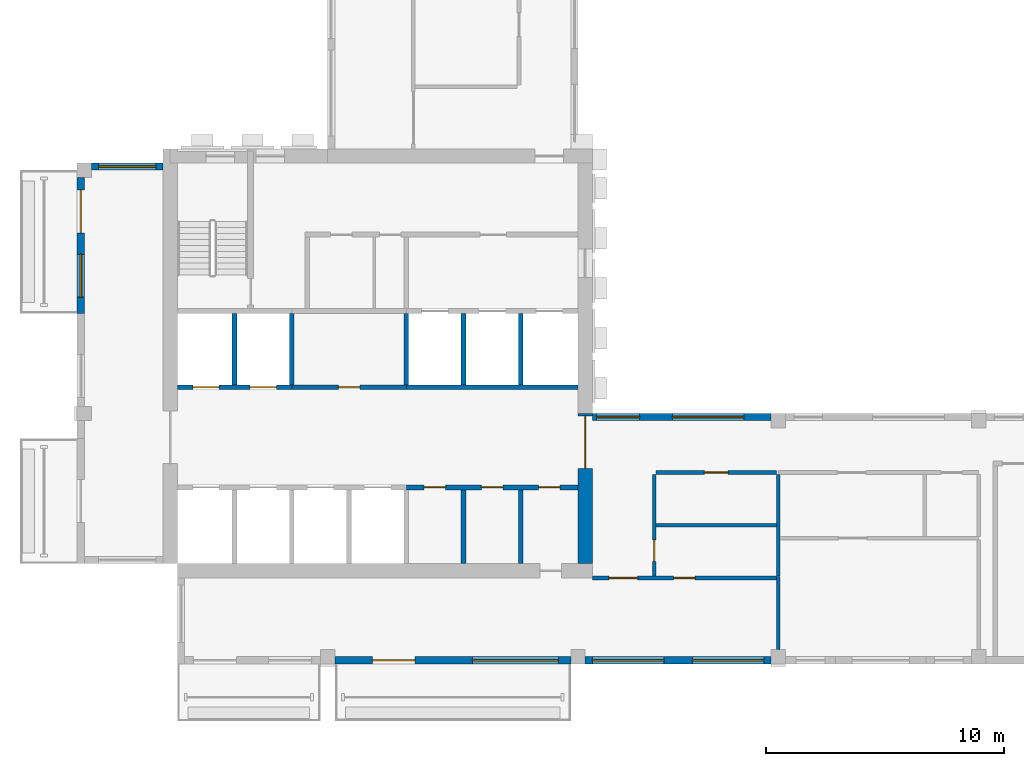
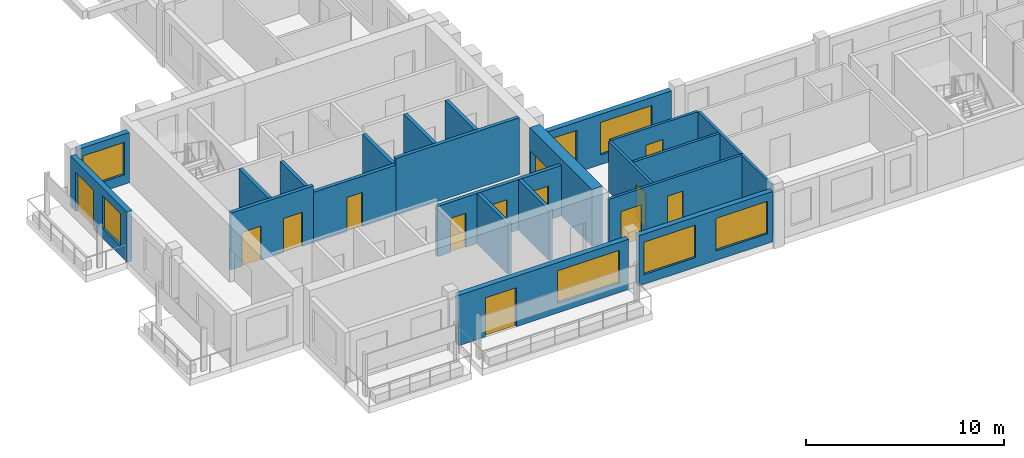
# One storey, part 2 of 10: 23 walls, 13 doors, 7 windows, 20 openings.
"""IFC4 building model written with IfcOpenShell, lengths in metres."""

from ifc_helpers import new_model, si_unit, direction, frame, frame_2d, origin, place, context, subcontext, project, spatial, rectangle, extrude, source, transform, mapped, material, layer, layer_set, type_object, element, fill, save


model = new_model("IFC4")

# Units and contexts
model_context = context("Model", 3, precision=1e-05, world=origin(), true_north=direction((0.0, 1.0)))
body_context = subcontext(model_context, "Body", "Model", "MODEL_VIEW")
ifc_project = project(units=[si_unit("LENGTHUNIT", "METRE"), si_unit("AREAUNIT", "SQUARE_METRE"), si_unit("VOLUMEUNIT", "CUBIC_METRE"), si_unit("PLANEANGLEUNIT", "RADIAN"), si_unit("MASSUNIT", "GRAM", prefix="KILO")], contexts=[model_context])

# Site, building, storey
site_placement = place(None, origin())
site = spatial("IfcSite", under=ifc_project, at=site_placement, CompositionType="ELEMENT")
building_placement = place(site_placement, origin())
building = spatial("IfcBuilding", under=site, at=building_placement, Name="Aurelian Terraces", CompositionType="ELEMENT")
storey_placement = place(building_placement, frame((0.0, 0.0, 326.5)))
storey = spatial("IfcBuildingStorey", under=building, at=storey_placement, Name="L76", CompositionType="ELEMENT", Elevation=326.5)

# Wall, openings, door, window
ifc_material_1 = material(Name="Terracotta rainscreen cladding", Category="masonry")
ifc_layer_1 = layer(ifc_material_1, 0.3)
ifc_layer_set_1 = layer_set([ifc_layer_1], Name="EW-300")
wall_type_1 = type_object("IfcWallType", Name="EW-300", PredefinedType="STANDARD", material=ifc_layer_set_1)
wall_1_placement = place(storey_placement, frame((10.8, 0.15, 0.0), z_axis=(0.0, 0.0, 1.0), x_axis=(1.0, 0.0, 0.0)))
wall_1 = element("IfcWall", 1, at=wall_1_placement, inside=storey, type_object=wall_type_1, Name="External wall L76 F01.2", PredefinedType="STANDARD", context=body_context, shape_type="SweptSolid", body=[
    extrude(rectangle(XDim=9.9, YDim=0.3, at=frame_2d((4.95, 0.0))), origin(), (0.0, 0.0, 1.0), 3.1),
])
shared_shape_1 = source(origin(), body_context, "Body", "SweptSolid", [
    extrude(rectangle(XDim=1.8, YDim=2.4, at=frame_2d((0.9, 1.2))), frame((0.0, 0.16, 0.0), z_axis=(0.0, -1.0, 0.0), x_axis=(1.0, 0.0, 0.0)), (0.0, 0.0, 1.0), 0.32),
])
opening_1_placement = place(wall_1_placement, frame((1.575, 0.0, 0.0)))
opening_1 = element("IfcOpeningElement", 2, at=opening_1_placement, cuts=wall_1, Name="Opening 87602", PredefinedType="OPENING", context=body_context, shape_type="MappedRepresentation", body=[
    mapped(shared_shape_1, transform((0.0, 0.0, 0.0), scale=1.0)),
])
shared_shape_2 = source(origin(), body_context, "Body", "SweptSolid", [
    extrude(rectangle(XDim=3.6, YDim=2.0, at=frame_2d((1.8, 1.0))), frame((0.0, 0.16, 0.0), z_axis=(0.0, -1.0, 0.0), x_axis=(1.0, 0.0, 0.0)), (0.0, 0.0, 1.0), 0.32),
])
opening_2_placement = place(wall_1_placement, frame((5.775, 0.0, 0.6)))
opening_2 = element("IfcOpeningElement", 3, at=opening_2_placement, cuts=wall_1, Name="Opening W3620", PredefinedType="OPENING", context=body_context, shape_type="MappedRepresentation", body=[
    mapped(shared_shape_2, transform((0.0, 0.0, 0.0), scale=1.0)),
])
ifc_material_2 = material(Name="Clear glazing", Category="glass")
door_type_1 = type_object("IfcDoorType", Name="BD-1800x2400", OperationType="SLIDING_TO_LEFT", PredefinedType="DOOR", material=ifc_material_2)
shared_shape_3 = source(origin(), body_context, "Body", "SweptSolid", [
    extrude(rectangle(XDim=1.8, YDim=2.4, at=frame_2d((0.9, 1.2))), frame((0.0, 0.025, 0.0), z_axis=(0.0, -1.0, 0.0), x_axis=(1.0, 0.0, 0.0)), (0.0, 0.0, 1.0), 0.05),
])
door_1_placement = place(opening_1_placement, origin())
door_1 = element("IfcDoor", 4, at=door_1_placement, inside=storey, type_object=door_type_1, Name="Balcony door L76 F01.2", OperationType="SLIDING_TO_LEFT", OverallHeight=2.4, OverallWidth=1.8, PredefinedType="DOOR", context=body_context, shape_type="MappedRepresentation", body=[
    mapped(shared_shape_3, transform((0.0, 0.0, 0.0), scale=1.0)),
])
fill(opening_1, door_1)
window_type_1 = type_object("IfcWindowType", Name="W-3600x2000", PartitioningType="SINGLE_PANEL", PredefinedType="WINDOW", material=ifc_material_2)
shared_shape_4 = source(origin(), body_context, "Body", "SweptSolid", [
    extrude(rectangle(XDim=3.6, YDim=2.0, at=frame_2d((1.8, 1.0))), frame((0.0, 0.03, 0.0), z_axis=(0.0, -1.0, 0.0), x_axis=(1.0, 0.0, 0.0)), (0.0, 0.0, 1.0), 0.06),
])
window_1_placement = place(opening_2_placement, origin())
window_1 = element("IfcWindow", 5, at=window_1_placement, inside=storey, type_object=window_type_1, Name="Window L76 L76-F01-02-1", OverallHeight=2.0, OverallWidth=3.6, PartitioningType="SINGLE_PANEL", PredefinedType="WINDOW", context=body_context, shape_type="MappedRepresentation", body=[
    mapped(shared_shape_4, transform((0.0, 0.0, 0.0), scale=1.0)),
])
fill(opening_2, window_1)

# Wall, openings, windows
wall_2_placement = place(storey_placement, frame((21.3, 0.15, 0.0), z_axis=(0.0, 0.0, 1.0), x_axis=(1.0, 0.0, 0.0)))
wall_2 = element("IfcWall", 6, at=wall_2_placement, inside=storey, type_object=wall_type_1, Name="External wall L76 F01.3", PredefinedType="STANDARD", context=body_context, shape_type="SweptSolid", body=[
    extrude(rectangle(XDim=7.8, YDim=0.3, at=frame_2d((3.9, 0.0))), origin(), (0.0, 0.0, 1.0), 3.1),
])
shared_shape_5 = source(origin(), body_context, "Body", "SweptSolid", [
    extrude(rectangle(XDim=3.0, YDim=2.0, at=frame_2d((1.5, 1.0))), frame((0.0, 0.16, 0.0), z_axis=(0.0, -1.0, 0.0), x_axis=(1.0, 0.0, 0.0)), (0.0, 0.0, 1.0), 0.32),
])
opening_3_placement = place(wall_2_placement, frame((0.3, 0.0, 0.6)))
opening_3 = element("IfcOpeningElement", 7, at=opening_3_placement, cuts=wall_2, Name="Opening W3020", PredefinedType="OPENING", context=body_context, shape_type="MappedRepresentation", body=[
    mapped(shared_shape_5, transform((0.0, 0.0, 0.0), scale=1.0)),
])
opening_4_placement = place(wall_2_placement, frame((4.5, 0.0, 0.6)))
opening_4 = element("IfcOpeningElement", 8, at=opening_4_placement, cuts=wall_2, Name="Opening W3020", PredefinedType="OPENING", context=body_context, shape_type="MappedRepresentation", body=[
    mapped(shared_shape_5, transform((0.0, 0.0, 0.0), scale=1.0)),
])
window_type_2 = type_object("IfcWindowType", Name="W-3000x2000", PartitioningType="SINGLE_PANEL", PredefinedType="WINDOW", material=ifc_material_2)
shared_shape_6 = source(origin(), body_context, "Body", "SweptSolid", [
    extrude(rectangle(XDim=3.0, YDim=2.0, at=frame_2d((1.5, 1.0))), frame((0.0, 0.03, 0.0), z_axis=(0.0, -1.0, 0.0), x_axis=(1.0, 0.0, 0.0)), (0.0, 0.0, 1.0), 0.06),
])
window_2_placement = place(opening_3_placement, origin())
window_2 = element("IfcWindow", 9, at=window_2_placement, inside=storey, type_object=window_type_2, Name="Window L76 L76-F01-03-0", OverallHeight=2.0, OverallWidth=3.0, PartitioningType="SINGLE_PANEL", PredefinedType="WINDOW", context=body_context, shape_type="MappedRepresentation", body=[
    mapped(shared_shape_6, transform((0.0, 0.0, 0.0), scale=1.0)),
])
fill(opening_3, window_2)
window_3_placement = place(opening_4_placement, origin())
window_3 = element("IfcWindow", 10, at=window_3_placement, inside=storey, type_object=window_type_2, Name="Window L76 L76-F01-03-1", OverallHeight=2.0, OverallWidth=3.0, PartitioningType="SINGLE_PANEL", PredefinedType="WINDOW", context=body_context, shape_type="MappedRepresentation", body=[
    mapped(shared_shape_6, transform((0.0, 0.0, 0.0), scale=1.0)),
])
fill(opening_4, window_3)

wall_3_placement = place(storey_placement, frame((29.1, 10.35, 0.0), z_axis=(0.0, 0.0, 1.0), x_axis=(-1.0, 0.0, 0.0)))
wall_3 = element("IfcWall", 11, at=wall_3_placement, inside=storey, type_object=wall_type_1, Name="External wall L76 F03.8", PredefinedType="STANDARD", context=body_context, shape_type="SweptSolid", body=[
    extrude(rectangle(XDim=7.5, YDim=0.3, at=frame_2d((3.75, 0.0))), origin(), (0.0, 0.0, 1.0), 3.1),
])
opening_5_placement = place(wall_3_placement, frame((1.14, 0.0, 0.6)))
opening_5 = element("IfcOpeningElement", 12, at=opening_5_placement, cuts=wall_3, Name="Opening W3020", PredefinedType="OPENING", context=body_context, shape_type="MappedRepresentation", body=[
    mapped(shared_shape_5, transform((0.0, 0.0, 0.0), scale=1.0)),
])
shared_shape_7 = source(origin(), body_context, "Body", "SweptSolid", [
    extrude(rectangle(XDim=1.8, YDim=2.0, at=frame_2d((0.9, 1.0))), frame((0.0, 0.16, 0.0), z_axis=(0.0, -1.0, 0.0), x_axis=(1.0, 0.0, 0.0)), (0.0, 0.0, 1.0), 0.32),
])
opening_6_placement = place(wall_3_placement, frame((5.52, 0.0, 0.6)))
opening_6 = element("IfcOpeningElement", 13, at=opening_6_placement, cuts=wall_3, Name="Opening W1820", PredefinedType="OPENING", context=body_context, shape_type="MappedRepresentation", body=[
    mapped(shared_shape_7, transform((0.0, 0.0, 0.0), scale=1.0)),
])
window_4_placement = place(opening_5_placement, origin())
window_4 = element("IfcWindow", 14, at=window_4_placement, inside=storey, type_object=window_type_2, Name="Window L76 L76-F03-08-5", OverallHeight=2.0, OverallWidth=3.0, PartitioningType="SINGLE_PANEL", PredefinedType="WINDOW", context=body_context, shape_type="MappedRepresentation", body=[
    mapped(shared_shape_6, transform((0.0, 0.0, 0.0), scale=1.0)),
])
fill(opening_5, window_4)
window_type_3 = type_object("IfcWindowType", Name="W-1800x2000", PartitioningType="SINGLE_PANEL", PredefinedType="WINDOW", material=ifc_material_2)
shared_shape_8 = source(origin(), body_context, "Body", "SweptSolid", [
    extrude(rectangle(XDim=1.8, YDim=2.0, at=frame_2d((0.9, 1.0))), frame((0.0, 0.03, 0.0), z_axis=(0.0, -1.0, 0.0), x_axis=(1.0, 0.0, 0.0)), (0.0, 0.0, 1.0), 0.06),
])
window_5_placement = place(opening_6_placement, origin())
window_5 = element("IfcWindow", 15, at=window_5_placement, inside=storey, type_object=window_type_3, Name="Window L76 L76-F03-08-6", OverallHeight=2.0, OverallWidth=1.8, PartitioningType="SINGLE_PANEL", PredefinedType="WINDOW", context=body_context, shape_type="MappedRepresentation", body=[
    mapped(shared_shape_8, transform((0.0, 0.0, 0.0), scale=1.0)),
])
fill(opening_6, window_5)

# Wall, opening, window
wall_4_placement = place(storey_placement, frame((3.6, 20.85, 0.0), z_axis=(0.0, 0.0, 1.0), x_axis=(-1.0, 0.0, 0.0)))
wall_4 = element("IfcWall", 16, at=wall_4_placement, inside=storey, type_object=wall_type_1, Name="External wall L76 F11.19", PredefinedType="STANDARD", context=body_context, shape_type="SweptSolid", body=[
    extrude(rectangle(XDim=3.0, YDim=0.3, at=frame_2d((1.5, 0.0))), origin(), (0.0, 0.0, 1.0), 3.1),
])
shared_shape_9 = source(origin(), body_context, "Body", "SweptSolid", [
    extrude(rectangle(XDim=2.4, YDim=2.0, at=frame_2d((1.2, 1.0))), frame((0.0, 0.16, 0.0), z_axis=(0.0, -1.0, 0.0), x_axis=(1.0, 0.0, 0.0)), (0.0, 0.0, 1.0), 0.32),
])
opening_7_placement = place(wall_4_placement, frame((0.3, 0.0, 0.6)))
opening_7 = element("IfcOpeningElement", 17, at=opening_7_placement, cuts=wall_4, Name="Opening W2420", PredefinedType="OPENING", context=body_context, shape_type="MappedRepresentation", body=[
    mapped(shared_shape_9, transform((0.0, 0.0, 0.0), scale=1.0)),
])
window_type_4 = type_object("IfcWindowType", Name="W-2400x2000", PartitioningType="SINGLE_PANEL", PredefinedType="WINDOW", material=ifc_material_2)
shared_shape_10 = source(origin(), body_context, "Body", "SweptSolid", [
    extrude(rectangle(XDim=2.4, YDim=2.0, at=frame_2d((1.2, 1.0))), frame((0.0, 0.03, 0.0), z_axis=(0.0, -1.0, 0.0), x_axis=(1.0, 0.0, 0.0)), (0.0, 0.0, 1.0), 0.06),
])
window_6_placement = place(opening_7_placement, origin())
window_6 = element("IfcWindow", 18, at=window_6_placement, inside=storey, type_object=window_type_4, Name="Window L76 L76-F11-19-0", OverallHeight=2.0, OverallWidth=2.4, PartitioningType="SINGLE_PANEL", PredefinedType="WINDOW", context=body_context, shape_type="MappedRepresentation", body=[
    mapped(shared_shape_10, transform((0.0, 0.0, 0.0), scale=1.0)),
])
fill(opening_7, window_6)

# Wall, openings, door, window
wall_5_placement = place(storey_placement, frame((0.15, 20.4, 0.0), z_axis=(0.0, 0.0, 1.0), x_axis=(0.0, -1.0, 0.0)))
wall_5 = element("IfcWall", 19, at=wall_5_placement, inside=storey, type_object=wall_type_1, Name="External wall L76 F12.20", PredefinedType="STANDARD", context=body_context, shape_type="SweptSolid", body=[
    extrude(rectangle(XDim=5.7, YDim=0.3, at=frame_2d((2.85, 0.0))), origin(), (0.0, 0.0, 1.0), 3.1),
])
opening_8_placement = place(wall_5_placement, frame((0.525, 0.0, 0.0)))
opening_8 = element("IfcOpeningElement", 20, at=opening_8_placement, cuts=wall_5, Name="Opening 87603", PredefinedType="OPENING", context=body_context, shape_type="MappedRepresentation", body=[
    mapped(shared_shape_1, transform((0.0, 0.0, 0.0), scale=1.0)),
])
opening_9_placement = place(wall_5_placement, frame((3.225, 0.0, 0.6)))
opening_9 = element("IfcOpeningElement", 21, at=opening_9_placement, cuts=wall_5, Name="Opening W1820", PredefinedType="OPENING", context=body_context, shape_type="MappedRepresentation", body=[
    mapped(shared_shape_7, transform((0.0, 0.0, 0.0), scale=1.0)),
])
door_2_placement = place(opening_8_placement, origin())
door_2 = element("IfcDoor", 22, at=door_2_placement, inside=storey, type_object=door_type_1, Name="Balcony door L76 F12.20", OperationType="SLIDING_TO_LEFT", OverallHeight=2.4, OverallWidth=1.8, PredefinedType="DOOR", context=body_context, shape_type="MappedRepresentation", body=[
    mapped(shared_shape_3, transform((0.0, 0.0, 0.0), scale=1.0)),
])
fill(opening_8, door_2)
window_7_placement = place(opening_9_placement, origin())
window_7 = element("IfcWindow", 23, at=window_7_placement, inside=storey, type_object=window_type_3, Name="Window L76 L76-F12-20-1", OverallHeight=2.0, OverallWidth=1.8, PartitioningType="SINGLE_PANEL", PredefinedType="WINDOW", context=body_context, shape_type="MappedRepresentation", body=[
    mapped(shared_shape_8, transform((0.0, 0.0, 0.0), scale=1.0)),
])
fill(opening_9, window_7)

# Wall
ifc_material_3 = material(Name="Gypsum board on steel studs", Category="steel")
ifc_layer_2 = layer(ifc_material_3, 0.15)
ifc_layer_set_2 = layer_set([ifc_layer_2], Name="Fire partition 150")
wall_type_2 = type_object("IfcWallType", Name="Fire partition 150", PredefinedType="PARTITIONING", material=ifc_layer_set_2)
wall_6_placement = place(storey_placement, frame((29.4, 0.599, 0.0), z_axis=(0.0, 0.0, 1.0), x_axis=(0.0, 1.0, 0.0)))
element("IfcWall", 24, at=wall_6_placement, inside=storey, type_object=wall_type_2, Name="Party wall", PredefinedType="PARTITIONING", context=body_context, shape_type="SweptSolid", body=[
    extrude(rectangle(XDim=3.056, YDim=0.15, at=frame_2d((1.528, 0.0))), origin(), (0.0, 0.0, 1.0), 3.1),
])

# Wall, opening, door
ifc_material_4 = material(Name="Concrete fc' 55 MPa", Category="concrete")
ifc_layer_3 = layer(ifc_material_4, 0.6)
ifc_layer_set_3 = layer_set([ifc_layer_3], Name="CORE WALL 600 FC55")
wall_type_3 = type_object("IfcWallType", Name="CORE WALL 600 FC55", PredefinedType="SHEAR", material=ifc_layer_set_3)
shared_shape_11 = source(origin(), body_context, "Body", "SweptSolid", [
    extrude(rectangle(XDim=6.3, YDim=0.6, at=frame_2d((3.15, 0.0))), origin(), (0.0, 0.0, 1.0), 3.5),
])
wall_7_placement = place(storey_placement, frame((21.3, 4.2, 0.0), z_axis=(0.0, 0.0, 1.0), x_axis=(0.0, 1.0, 0.0)))
wall_7 = element("IfcWall", 25, at=wall_7_placement, inside=storey, type_object=wall_type_3, Name="Core wall E L76", PredefinedType="SHEAR", context=body_context, shape_type="MappedRepresentation", body=[
    mapped(shared_shape_11, transform((0.0, 0.0, 0.0), scale=1.0)),
])
shared_shape_12 = source(origin(), body_context, "Body", "SweptSolid", [
    extrude(rectangle(XDim=2.2, YDim=2.1, at=frame_2d((1.1, 1.05))), frame((0.0, 0.31, 0.0), z_axis=(0.0, -1.0, 0.0), x_axis=(1.0, 0.0, 0.0)), (0.0, 0.0, 1.0), 0.62),
])
opening_10_placement = place(wall_7_placement, frame((4.0, 0.0, 0.0)))
opening_10 = element("IfcOpeningElement", 26, at=opening_10_placement, cuts=wall_7, Name="Opening 67923", PredefinedType="OPENING", context=body_context, shape_type="MappedRepresentation", body=[
    mapped(shared_shape_12, transform((0.0, 0.0, 0.0), scale=1.0)),
])
ifc_material_5 = material(Name="Steel door leaf", Category="steel")
door_type_2 = type_object("IfcDoorType", Name="Core double door 2200x2100", OperationType="DOUBLE_DOOR_SINGLE_SWING", PredefinedType="DOOR", material=ifc_material_5)
shared_shape_13 = source(origin(), body_context, "Body", "SweptSolid", [
    extrude(rectangle(XDim=2.2, YDim=2.1, at=frame_2d((1.1, 1.05))), frame((0.0, 0.025, 0.0), z_axis=(0.0, -1.0, 0.0), x_axis=(1.0, 0.0, 0.0)), (0.0, 0.0, 1.0), 0.05),
])
door_3_placement = place(opening_10_placement, origin())
door_3 = element("IfcDoor", 27, at=door_3_placement, inside=storey, type_object=door_type_2, Name="Core door 67923", OperationType="DOUBLE_DOOR_SINGLE_SWING", OverallHeight=2.1, OverallWidth=2.2, PredefinedType="DOOR", context=body_context, shape_type="MappedRepresentation", body=[
    mapped(shared_shape_13, transform((0.0, 0.0, 0.0), scale=1.0)),
])
fill(opening_10, door_3)

# Walls
ifc_material_6 = material(Name="Concrete fc' 40 MPa", Category="concrete")
ifc_layer_4 = layer(ifc_material_6, 0.2)
ifc_layer_set_4 = layer_set([ifc_layer_4], Name="Lift shaft wall 200")
wall_type_4 = type_object("IfcWallType", Name="Lift shaft wall 200", PredefinedType="SOLIDWALL", material=ifc_layer_set_4)
shared_shape_14 = source(origin(), body_context, "Body", "SweptSolid", [
    extrude(rectangle(XDim=3.0, YDim=0.2, at=frame_2d((1.5, 0.0))), origin(), (0.0, 0.0, 1.0), 3.1),
])
for number, where, z_axis, x_axis, name in (
    (28, (9.0, 11.7, 0.0), (0.0, 0.0, 1.0), (0.0, 1.0, 0.0), "L76 core wall CD-B2"),
    (29, (13.8, 11.7, 0.0), (0.0, 0.0, 1.0), (0.0, 1.0, 0.0), "L76 core wall CD-B4"),
):
    element("IfcWall", number, at=place(storey_placement, frame(where, z_axis=z_axis, x_axis=x_axis)), inside=storey, type_object=wall_type_4, Name=name, PredefinedType="SOLIDWALL", context=body_context, shape_type="MappedRepresentation", body=[
        mapped(shared_shape_14, transform((0.0, 0.0, 0.0), scale=1.0)),
    ])
shared_shape_15 = source(origin(), body_context, "Body", "SweptSolid", [
    extrude(rectangle(XDim=3.0, YDim=0.2, at=frame_2d((1.5, 0.0))), origin(), (0.0, 0.0, 1.0), 3.5),
])
for number, where, z_axis, x_axis, name in (
    (30, (6.6, 11.7, 0.0), (0.0, 0.0, 1.0), (0.0, 1.0, 0.0), "L76 core wall CD-B1"),
    (31, (16.2, 11.7, 0.0), (0.0, 0.0, 1.0), (0.0, 1.0, 0.0), "L76 core wall CD-B5"),
    (32, (18.6, 11.7, 0.0), (0.0, 0.0, 1.0), (0.0, 1.0, 0.0), "L76 core wall CD-B6"),
):
    element("IfcWall", number, at=place(storey_placement, frame(where, z_axis=z_axis, x_axis=x_axis)), inside=storey, type_object=wall_type_4, Name=name, PredefinedType="SOLIDWALL", context=body_context, shape_type="MappedRepresentation", body=[
        mapped(shared_shape_15, transform((0.0, 0.0, 0.0), scale=1.0)),
    ])

# Wall, openings, doors
shared_shape_16 = source(origin(), body_context, "Body", "SweptSolid", [
    extrude(rectangle(XDim=4.8, YDim=0.2, at=frame_2d((2.4, 0.0))), origin(), (0.0, 0.0, 1.0), 3.5),
])
wall_8_placement = place(storey_placement, frame((4.2, 11.6, 0.0), z_axis=(0.0, 0.0, 1.0), x_axis=(1.0, 0.0, 0.0)))
wall_8 = element("IfcWall", 33, at=wall_8_placement, inside=storey, type_object=wall_type_4, Name="L76 core wall CF-BF1", PredefinedType="SOLIDWALL", context=body_context, shape_type="MappedRepresentation", body=[
    mapped(shared_shape_16, transform((0.0, 0.0, 0.0), scale=1.0)),
])
shared_shape_17 = source(origin(), body_context, "Body", "SweptSolid", [
    extrude(rectangle(XDim=1.1, YDim=2.1, at=frame_2d((0.55, 1.05))), frame((0.0, 0.11, 0.0), z_axis=(0.0, -1.0, 0.0), x_axis=(1.0, 0.0, 0.0)), (0.0, 0.0, 1.0), 0.22),
])
opening_11_placement = place(wall_8_placement, frame((0.65, 0.0, 0.0)))
opening_11 = element("IfcOpeningElement", 34, at=opening_11_placement, cuts=wall_8, Name="Opening 67907", PredefinedType="OPENING", context=body_context, shape_type="MappedRepresentation", body=[
    mapped(shared_shape_17, transform((0.0, 0.0, 0.0), scale=1.0)),
])
opening_12_placement = place(wall_8_placement, frame((3.05, 0.0, 0.0)))
opening_12 = element("IfcOpeningElement", 35, at=opening_12_placement, cuts=wall_8, Name="Opening 67908", PredefinedType="OPENING", context=body_context, shape_type="MappedRepresentation", body=[
    mapped(shared_shape_17, transform((0.0, 0.0, 0.0), scale=1.0)),
])
ifc_material_7 = material(Name="Stainless steel", Category="steel")
door_type_3 = type_object("IfcDoorType", Name="Lift landing door 1100x2100", OperationType="SLIDING_TO_LEFT", PredefinedType="DOOR", material=ifc_material_7)
shared_shape_18 = source(origin(), body_context, "Body", "SweptSolid", [
    extrude(rectangle(XDim=1.1, YDim=2.1, at=frame_2d((0.55, 1.05))), frame((0.0, 0.025, 0.0), z_axis=(0.0, -1.0, 0.0), x_axis=(1.0, 0.0, 0.0)), (0.0, 0.0, 1.0), 0.05),
])
door_4_placement = place(opening_11_placement, origin())
door_4 = element("IfcDoor", 36, at=door_4_placement, inside=storey, type_object=door_type_3, Name="Lift landing door LH5 L76", OperationType="SLIDING_TO_LEFT", OverallHeight=2.1, OverallWidth=1.1, PredefinedType="DOOR", context=body_context, shape_type="MappedRepresentation", body=[
    mapped(shared_shape_18, transform((0.0, 0.0, 0.0), scale=1.0)),
])
fill(opening_11, door_4)
door_5_placement = place(opening_12_placement, origin())
door_5 = element("IfcDoor", 37, at=door_5_placement, inside=storey, type_object=door_type_3, Name="Lift landing door LH6 L76", OperationType="SLIDING_TO_LEFT", OverallHeight=2.1, OverallWidth=1.1, PredefinedType="DOOR", context=body_context, shape_type="MappedRepresentation", body=[
    mapped(shared_shape_18, transform((0.0, 0.0, 0.0), scale=1.0)),
])
fill(opening_12, door_5)

# Wall, opening, door
shared_shape_19 = source(origin(), body_context, "Body", "SweptSolid", [
    extrude(rectangle(XDim=4.8, YDim=0.2, at=frame_2d((2.4, 0.0))), origin(), (0.0, 0.0, 1.0), 3.1),
])
wall_9_placement = place(storey_placement, frame((9.0, 11.6, 0.0), z_axis=(0.0, 0.0, 1.0), x_axis=(1.0, 0.0, 0.0)))
wall_9 = element("IfcWall", 38, at=wall_9_placement, inside=storey, type_object=wall_type_4, Name="L76 core wall CF-BF2", PredefinedType="SOLIDWALL", context=body_context, shape_type="MappedRepresentation", body=[
    mapped(shared_shape_19, transform((0.0, 0.0, 0.0), scale=1.0)),
])
shared_shape_20 = source(origin(), body_context, "Body", "SweptSolid", [
    extrude(rectangle(XDim=0.9, YDim=2.1, at=frame_2d((0.45, 1.05))), frame((0.0, 0.11, 0.0), z_axis=(0.0, -1.0, 0.0), x_axis=(1.0, 0.0, 0.0)), (0.0, 0.0, 1.0), 0.22),
])
opening_13_placement = place(wall_9_placement, frame((1.95, 0.0, 0.0)))
opening_13 = element("IfcOpeningElement", 39, at=opening_13_placement, cuts=wall_9, Name="Opening 67909", PredefinedType="OPENING", context=body_context, shape_type="MappedRepresentation", body=[
    mapped(shared_shape_20, transform((0.0, 0.0, 0.0), scale=1.0)),
])
door_type_4 = type_object("IfcDoorType", Name="Core service door 900x2100", OperationType="SINGLE_SWING_LEFT", PredefinedType="DOOR", material=ifc_material_5)
shared_shape_21 = source(origin(), body_context, "Body", "SweptSolid", [
    extrude(rectangle(XDim=0.9, YDim=2.1, at=frame_2d((0.45, 1.05))), frame((0.0, 0.025, 0.0), z_axis=(0.0, -1.0, 0.0), x_axis=(1.0, 0.0, 0.0)), (0.0, 0.0, 1.0), 0.05),
])
door_6_placement = place(opening_13_placement, origin())
door_6 = element("IfcDoor", 40, at=door_6_placement, inside=storey, type_object=door_type_4, Name="Room door 67909", OperationType="SINGLE_SWING_LEFT", OverallHeight=2.1, OverallWidth=0.9, PredefinedType="DOOR", context=body_context, shape_type="MappedRepresentation", body=[
    mapped(shared_shape_21, transform((0.0, 0.0, 0.0), scale=1.0)),
])
fill(opening_13, door_6)

# Walls
shared_shape_22 = source(origin(), body_context, "Body", "SweptSolid", [
    extrude(rectangle(XDim=7.2, YDim=0.2, at=frame_2d((3.6, 0.0))), origin(), (0.0, 0.0, 1.0), 3.5),
])
wall_10_placement = place(storey_placement, frame((13.8, 11.6, 0.0), z_axis=(0.0, 0.0, 1.0), x_axis=(1.0, 0.0, 0.0)))
element("IfcWall", 41, at=wall_10_placement, inside=storey, type_object=wall_type_4, Name="L76 core wall CF-BF3", PredefinedType="SOLIDWALL", context=body_context, shape_type="MappedRepresentation", body=[
    mapped(shared_shape_22, transform((0.0, 0.0, 0.0), scale=1.0)),
])
ifc_layer_5 = layer(ifc_material_3, 0.2)
ifc_layer_set_5 = layer_set([ifc_layer_5], Name="Core partition 200")
wall_type_5 = type_object("IfcWallType", Name="Core partition 200", PredefinedType="PARTITIONING", material=ifc_layer_set_5)
shared_shape_23 = source(origin(), body_context, "Body", "SweptSolid", [
    extrude(rectangle(XDim=3.1, YDim=0.2, at=frame_2d((1.55, 0.0))), origin(), (0.0, 0.0, 1.0), 3.1),
])
for number, where, z_axis, x_axis, name in (
    (42, (16.2, 4.2, 0.0), (0.0, 0.0, 1.0), (0.0, 1.0, 0.0), "L76 core wall CS-A5"),
    (43, (18.6, 4.2, 0.0), (0.0, 0.0, 1.0), (0.0, 1.0, 0.0), "L76 core wall CS-A6"),
):
    element("IfcWall", number, at=place(storey_placement, frame(where, z_axis=z_axis, x_axis=x_axis)), inside=storey, type_object=wall_type_5, Name=name, PredefinedType="PARTITIONING", context=body_context, shape_type="MappedRepresentation", body=[
        mapped(shared_shape_23, transform((0.0, 0.0, 0.0), scale=1.0)),
    ])

# Wall, openings, doors
shared_shape_24 = source(origin(), body_context, "Body", "SweptSolid", [
    extrude(rectangle(XDim=7.2, YDim=0.2, at=frame_2d((3.6, 0.0))), origin(), (0.0, 0.0, 1.0), 3.1),
])
wall_11_placement = place(storey_placement, frame((13.8, 7.4, 0.0), z_axis=(0.0, 0.0, 1.0), x_axis=(1.0, 0.0, 0.0)))
wall_11 = element("IfcWall", 44, at=wall_11_placement, inside=storey, type_object=wall_type_4, Name="L76 core wall CF-AF2", PredefinedType="SOLIDWALL", context=body_context, shape_type="MappedRepresentation", body=[
    mapped(shared_shape_24, transform((0.0, 0.0, 0.0), scale=1.0)),
])
opening_14_placement = place(wall_11_placement, frame((0.75, 0.0, 0.0)))
opening_14 = element("IfcOpeningElement", 45, at=opening_14_placement, cuts=wall_11, Name="Opening 67904", PredefinedType="OPENING", context=body_context, shape_type="MappedRepresentation", body=[
    mapped(shared_shape_20, transform((0.0, 0.0, 0.0), scale=1.0)),
])
opening_15_placement = place(wall_11_placement, frame((3.15, 0.0, 0.0)))
opening_15 = element("IfcOpeningElement", 46, at=opening_15_placement, cuts=wall_11, Name="Opening 67905", PredefinedType="OPENING", context=body_context, shape_type="MappedRepresentation", body=[
    mapped(shared_shape_20, transform((0.0, 0.0, 0.0), scale=1.0)),
])
opening_16_placement = place(wall_11_placement, frame((5.55, 0.0, 0.0)))
opening_16 = element("IfcOpeningElement", 47, at=opening_16_placement, cuts=wall_11, Name="Opening 67906", PredefinedType="OPENING", context=body_context, shape_type="MappedRepresentation", body=[
    mapped(shared_shape_20, transform((0.0, 0.0, 0.0), scale=1.0)),
])
door_type_5 = type_object("IfcDoorType", Name="Core service door 900x2100 right", OperationType="SINGLE_SWING_RIGHT", PredefinedType="DOOR", material=ifc_material_5)
door_7_placement = place(opening_14_placement, origin())
door_7 = element("IfcDoor", 48, at=door_7_placement, inside=storey, type_object=door_type_5, Name="Room door 67904", OperationType="SINGLE_SWING_RIGHT", OverallHeight=2.1, OverallWidth=0.9, PredefinedType="DOOR", context=body_context, shape_type="MappedRepresentation", body=[
    mapped(shared_shape_21, transform((0.0, 0.0, 0.0), scale=1.0)),
])
fill(opening_14, door_7)
door_8_placement = place(opening_15_placement, origin())
door_8 = element("IfcDoor", 49, at=door_8_placement, inside=storey, type_object=door_type_4, Name="Room door 67905", OperationType="SINGLE_SWING_LEFT", OverallHeight=2.1, OverallWidth=0.9, PredefinedType="DOOR", context=body_context, shape_type="MappedRepresentation", body=[
    mapped(shared_shape_21, transform((0.0, 0.0, 0.0), scale=1.0)),
])
fill(opening_15, door_8)
door_9_placement = place(opening_16_placement, origin())
door_9 = element("IfcDoor", 50, at=door_9_placement, inside=storey, type_object=door_type_5, Name="Room door 67906", OperationType="SINGLE_SWING_RIGHT", OverallHeight=2.1, OverallWidth=0.9, PredefinedType="DOOR", context=body_context, shape_type="MappedRepresentation", body=[
    mapped(shared_shape_21, transform((0.0, 0.0, 0.0), scale=1.0)),
])
fill(opening_16, door_9)

ifc_layer_6 = layer(ifc_material_3, 0.15)
ifc_layer_set_6 = layer_set([ifc_layer_6], Name="Partition 150")
wall_type_6 = type_object("IfcWallType", Name="Partition 150", PredefinedType="PARTITIONING", material=ifc_layer_set_6)
shared_shape_25 = source(origin(), body_context, "Body", "SweptSolid", [
    extrude(rectangle(XDim=7.725, YDim=0.15, at=frame_2d((3.8625, 0.0))), origin(), (0.0, 0.0, 1.0), 3.1),
])
wall_12_placement = place(storey_placement, frame((21.6, 3.6, 0.0), z_axis=(0.0, 0.0, 1.0), x_axis=(1.0, 0.0, 0.0)))
wall_12 = element("IfcWall", 51, at=wall_12_placement, inside=storey, type_object=wall_type_6, Name="Partition", PredefinedType="PARTITIONING", context=body_context, shape_type="MappedRepresentation", body=[
    mapped(shared_shape_25, transform((0.0, 0.0, 0.0), scale=1.0)),
])
shared_shape_26 = source(origin(), body_context, "Body", "SweptSolid", [
    extrude(rectangle(XDim=1.2, YDim=2.1, at=frame_2d((0.6, 1.05))), frame((0.0, 0.085, 0.0), z_axis=(0.0, -1.0, 0.0), x_axis=(1.0, 0.0, 0.0)), (0.0, 0.0, 1.0), 0.17),
])
opening_17_placement = place(wall_12_placement, frame((0.7, 0.0, 0.0)))
opening_17 = element("IfcOpeningElement", 52, at=opening_17_placement, cuts=wall_12, Name="Opening 776003", PredefinedType="OPENING", context=body_context, shape_type="MappedRepresentation", body=[
    mapped(shared_shape_26, transform((0.0, 0.0, 0.0), scale=1.0)),
])
shared_shape_27 = source(origin(), body_context, "Body", "SweptSolid", [
    extrude(rectangle(XDim=0.9, YDim=2.1, at=frame_2d((0.45, 1.05))), frame((0.0, 0.085, 0.0), z_axis=(0.0, -1.0, 0.0), x_axis=(1.0, 0.0, 0.0)), (0.0, 0.0, 1.0), 0.17),
])
opening_18_placement = place(wall_12_placement, frame((3.4125, 0.0, 0.0)))
opening_18 = element("IfcOpeningElement", 53, at=opening_18_placement, cuts=wall_12, Name="Opening 776017", PredefinedType="OPENING", context=body_context, shape_type="MappedRepresentation", body=[
    mapped(shared_shape_27, transform((0.0, 0.0, 0.0), scale=1.0)),
])
ifc_material_8 = material(Name="Timber door leaf", Category="wood")
door_type_6 = type_object("IfcDoorType", Name="Room door 900x2100 left", OperationType="SINGLE_SWING_LEFT", PredefinedType="DOOR", material=ifc_material_8)
door_10_placement = place(opening_18_placement, origin())
door_10 = element("IfcDoor", 54, at=door_10_placement, inside=storey, type_object=door_type_6, Name="Door 776017", OperationType="SINGLE_SWING_LEFT", OverallHeight=2.1, OverallWidth=0.9, PredefinedType="DOOR", context=body_context, shape_type="MappedRepresentation", body=[
    mapped(shared_shape_21, transform((0.0, 0.0, 0.0), scale=1.0)),
])
fill(opening_18, door_10)
door_type_7 = type_object("IfcDoorType", Name="Room door 1200x2100 right", OperationType="SINGLE_SWING_RIGHT", PredefinedType="DOOR", material=ifc_material_8)
shared_shape_28 = source(origin(), body_context, "Body", "SweptSolid", [
    extrude(rectangle(XDim=1.2, YDim=2.1, at=frame_2d((0.6, 1.05))), frame((0.0, 0.025, 0.0), z_axis=(0.0, -1.0, 0.0), x_axis=(1.0, 0.0, 0.0)), (0.0, 0.0, 1.0), 0.05),
])
door_11_placement = place(opening_17_placement, origin())
door_11 = element("IfcDoor", 55, at=door_11_placement, inside=storey, type_object=door_type_7, Name="Door 776003", OperationType="SINGLE_SWING_RIGHT", OverallHeight=2.1, OverallWidth=1.2, PredefinedType="DOOR", context=body_context, shape_type="MappedRepresentation", body=[
    mapped(shared_shape_28, transform((0.0, 0.0, 0.0), scale=1.0)),
])
fill(opening_17, door_11)

# Wall, opening, door
shared_shape_29 = source(origin(), body_context, "Body", "SweptSolid", [
    extrude(rectangle(XDim=4.275, YDim=0.15, at=frame_2d((2.1375, 0.0))), origin(), (0.0, 0.0, 1.0), 3.1),
])
wall_13_placement = place(storey_placement, frame((24.2, 7.95, 0.0), z_axis=(0.0, 0.0, 1.0), x_axis=(0.0, -1.0, 0.0)))
wall_13 = element("IfcWall", 56, at=wall_13_placement, inside=storey, type_object=wall_type_6, Name="Partition", PredefinedType="PARTITIONING", context=body_context, shape_type="MappedRepresentation", body=[
    mapped(shared_shape_29, transform((0.0, 0.0, 0.0), scale=1.0)),
])
opening_19_placement = place(wall_13_placement, frame((2.7565, 0.0, 0.0)))
opening_19 = element("IfcOpeningElement", 57, at=opening_19_placement, cuts=wall_13, Name="Opening 776002", PredefinedType="OPENING", context=body_context, shape_type="MappedRepresentation", body=[
    mapped(shared_shape_27, transform((0.0, 0.0, 0.0), scale=1.0)),
])
door_type_8 = type_object("IfcDoorType", Name="Room door 900x2100 right", OperationType="SINGLE_SWING_RIGHT", PredefinedType="DOOR", material=ifc_material_8)
door_12_placement = place(opening_19_placement, origin())
door_12 = element("IfcDoor", 58, at=door_12_placement, inside=storey, type_object=door_type_8, Name="Door 776002", OperationType="SINGLE_SWING_RIGHT", OverallHeight=2.1, OverallWidth=0.9, PredefinedType="DOOR", context=body_context, shape_type="MappedRepresentation", body=[
    mapped(shared_shape_21, transform((0.0, 0.0, 0.0), scale=1.0)),
])
fill(opening_19, door_12)

# Wall
wall_14_placement = place(storey_placement, frame((29.4, 3.675, 0.0), z_axis=(0.0, 0.0, 1.0), x_axis=(0.0, 1.0, 0.0)))
element("IfcWall", 59, at=wall_14_placement, inside=storey, type_object=wall_type_6, Name="Partition", PredefinedType="PARTITIONING", context=body_context, shape_type="MappedRepresentation", body=[
    mapped(shared_shape_29, transform((0.0, 0.0, 0.0), scale=1.0)),
])

# Wall, opening, door
shared_shape_30 = source(origin(), body_context, "Body", "SweptSolid", [
    extrude(rectangle(XDim=5.05, YDim=0.15, at=frame_2d((2.525, 0.0))), origin(), (0.0, 0.0, 1.0), 3.1),
])
wall_15_placement = place(storey_placement, frame((29.325, 8.025, 0.0), z_axis=(0.0, 0.0, 1.0), x_axis=(-1.0, 0.0, 0.0)))
wall_15 = element("IfcWall", 60, at=wall_15_placement, inside=storey, type_object=wall_type_2, Name="Corridor wall", PredefinedType="PARTITIONING", context=body_context, shape_type="MappedRepresentation", body=[
    mapped(shared_shape_30, transform((0.0, 0.0, 0.0), scale=1.0)),
])
shared_shape_31 = source(origin(), body_context, "Body", "SweptSolid", [
    extrude(rectangle(XDim=1.0, YDim=2.1, at=frame_2d((0.5, 1.05))), frame((0.0, 0.085, 0.0), z_axis=(0.0, -1.0, 0.0), x_axis=(1.0, 0.0, 0.0)), (0.0, 0.0, 1.0), 0.17),
])
opening_20_placement = place(wall_15_placement, frame((2.025, 0.0, 0.0)))
opening_20 = element("IfcOpeningElement", 61, at=opening_20_placement, cuts=wall_15, Name="Opening 776001", PredefinedType="OPENING", context=body_context, shape_type="MappedRepresentation", body=[
    mapped(shared_shape_31, transform((0.0, 0.0, 0.0), scale=1.0)),
])
door_type_9 = type_object("IfcDoorType", Name="Entrance fire door 1000x2100 left", OperationType="SINGLE_SWING_LEFT", PredefinedType="DOOR", material=ifc_material_5)
shared_shape_32 = source(origin(), body_context, "Body", "SweptSolid", [
    extrude(rectangle(XDim=1.0, YDim=2.1, at=frame_2d((0.5, 1.05))), frame((0.0, 0.025, 0.0), z_axis=(0.0, -1.0, 0.0), x_axis=(1.0, 0.0, 0.0)), (0.0, 0.0, 1.0), 0.05),
])
door_13_placement = place(opening_20_placement, origin())
door_13 = element("IfcDoor", 62, at=door_13_placement, inside=storey, type_object=door_type_9, Name="Door 776001", OperationType="SINGLE_SWING_LEFT", OverallHeight=2.1, OverallWidth=1.0, PredefinedType="DOOR", context=body_context, shape_type="MappedRepresentation", body=[
    mapped(shared_shape_32, transform((0.0, 0.0, 0.0), scale=1.0)),
])
fill(opening_20, door_13)

# Wall
wall_16_placement = place(storey_placement, frame((29.325, 5.812, 0.0), z_axis=(0.0, 0.0, 1.0), x_axis=(-1.0, 0.0, 0.0)))
element("IfcWall", 63, at=wall_16_placement, inside=storey, type_object=wall_type_6, Name="Partition", PredefinedType="PARTITIONING", context=body_context, shape_type="MappedRepresentation", body=[
    mapped(shared_shape_30, transform((0.0, 0.0, 0.0), scale=1.0)),
])

save(model, "model.ifc")
